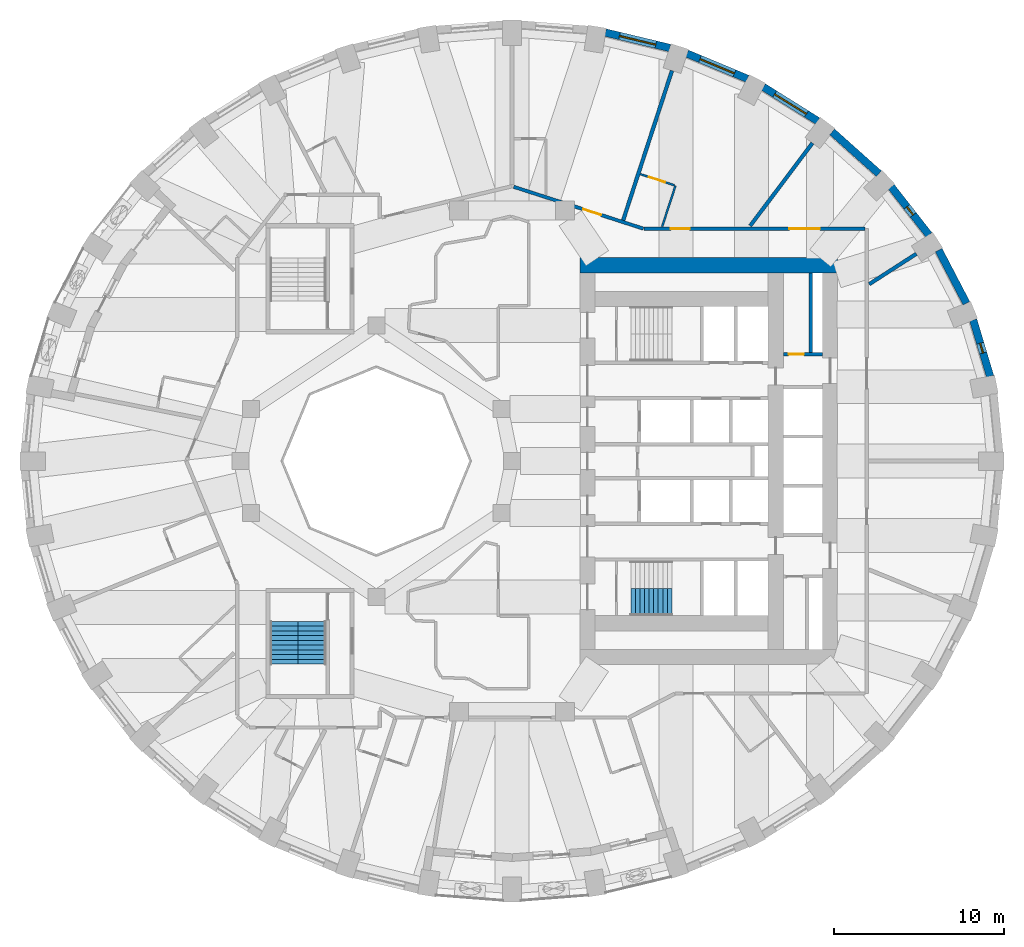
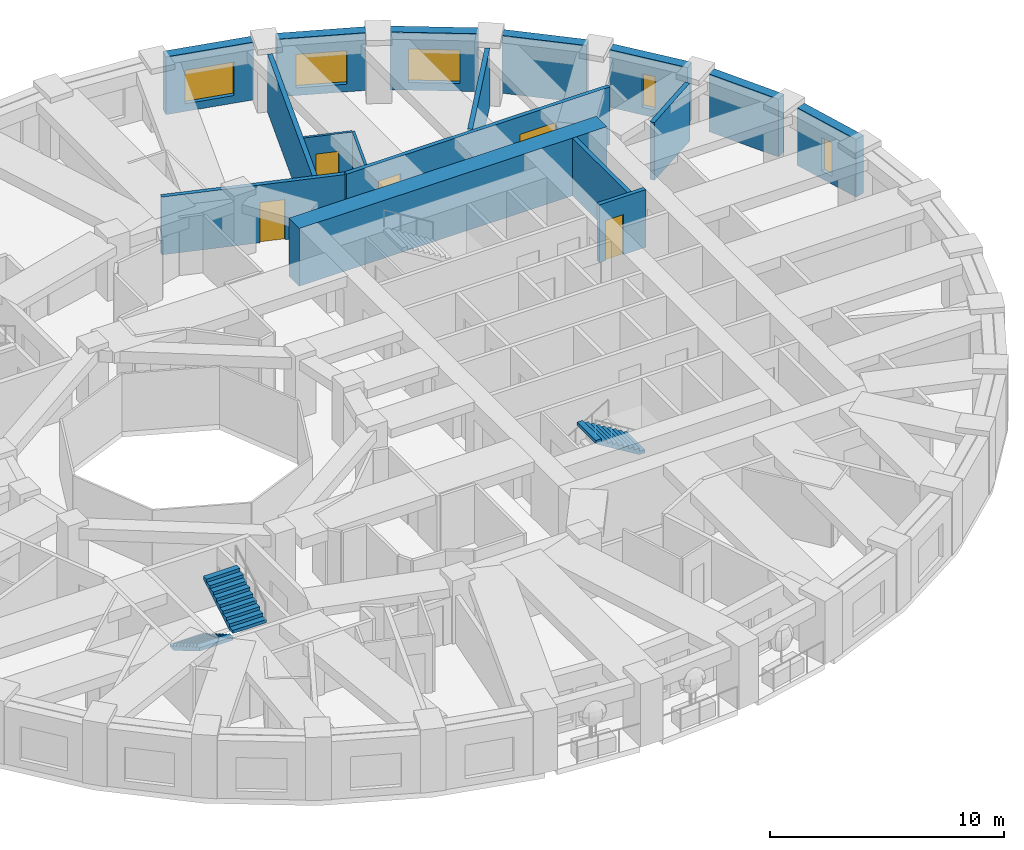
# One storey, part 9 of 13: 17 walls, 5 doors, 5 windows, 3 stair flights, 10 openings, 2 elements without a shape of their own.
"""IFC4 building model written with IfcOpenShell, lengths in metres."""

from ifc_helpers import new_model, si_unit, direction, frame, frame_2d, origin, place, context, subcontext, project, spatial, polyline, rectangle, outline, extrude, material, layer, layer_set, type_object, element, fill, aggregate, save


model = new_model("IFC4")

# Units and contexts
model_context = context("Model", 3, precision=1e-05, world=origin(), true_north=direction((0.0, 1.0)))
body_context = subcontext(model_context, "Body", "Model", "MODEL_VIEW")
ifc_project = project(units=[si_unit("LENGTHUNIT", "METRE"), si_unit("AREAUNIT", "SQUARE_METRE"), si_unit("VOLUMEUNIT", "CUBIC_METRE"), si_unit("PLANEANGLEUNIT", "RADIAN"), si_unit("MASSUNIT", "GRAM", prefix="KILO")], contexts=[model_context])

# Site, building, storey
site_placement = place(None, origin())
site = spatial("IfcSite", under=ifc_project, at=site_placement, CompositionType="ELEMENT")
building_placement = place(site_placement, origin())
building = spatial("IfcBuilding", under=site, at=building_placement, Name="Taillehof Tower", CompositionType="ELEMENT")
storey_placement = place(building_placement, frame((0.0, 0.0, 71.199951171875)))
storey = spatial("IfcBuildingStorey", under=building, at=storey_placement, Name="L19", CompositionType="ELEMENT", Elevation=71.199951171875)

# Wall, opening, window
ifc_material_1 = material(Name="Brick masonry", Category="masonry")
ifc_layer_1 = layer(ifc_material_1, 0.449951171875)
ifc_layer_set_1 = layer_set([ifc_layer_1], Name="Brick infill wall 450")
wall_type_1 = type_object("IfcWallType", Name="Brick infill wall 450", PredefinedType="SOLIDWALL", material=ifc_layer_set_1)
wall_1_placement = place(storey_placement, frame((28.181884765625, 4.995849609375, 0.0), z_axis=(0.0, 0.0, 1.0), x_axis=(-0.287064133733, 0.957911364963, 0.0)))
wall_1 = element("IfcWall", 1, at=wall_1_placement, inside=storey, type_object=wall_type_1, Name="Brick wall L19 bay 2", PredefinedType="SOLIDWALL", context=body_context, shape_type="SweptSolid", body=[
    extrude(rectangle(XDim=3.473388671875, YDim=0.449951171875, at=frame_2d((1.73681640625, 0.0))), origin(), (0.0, 0.0, 1.0), 3.02001953125),
])
opening_1_placement = place(wall_1_placement, frame((1.436767578125, 0.0, 0.39990234375)))
opening_1 = element("IfcOpeningElement", 2, at=opening_1_placement, cuts=wall_1, Name="Opening W6", PredefinedType="OPENING", context=body_context, shape_type="SweptSolid", body=[
    extrude(rectangle(XDim=0.60009765625, YDim=1.75, at=frame_2d((0.300048828125, 0.875))), frame((0.0, 0.23486328125, 0.0), z_axis=(0.0, -1.0, 0.0), x_axis=(1.0, 0.0, 0.0)), (0.0, 0.0, 1.0), 0.469970703125),
])
ifc_material_2 = material(Name="Aluminium window frame with clear double glazing", Category="aluminium")
window_type_1 = type_object("IfcWindowType", Name="Slot window 600x1750", PartitioningType="SINGLE_PANEL", PredefinedType="WINDOW", material=ifc_material_2)
window_1_placement = place(opening_1_placement, origin())
window_1 = element("IfcWindow", 3, at=window_1_placement, inside=storey, type_object=window_type_1, Name="W6", OverallHeight=1.75, OverallWidth=0.60009765625, PartitioningType="SINGLE_PANEL", PredefinedType="WINDOW", context=body_context, shape_type="SweptSolid", body=[
    extrude(rectangle(XDim=0.60009765625, YDim=1.75, at=frame_2d((0.300048828125, 0.875))), frame((0.0, 0.034912109375, 0.0), z_axis=(0.0, -1.0, 0.0), x_axis=(1.0, 0.0, 0.0)), (0.0, 0.0, 1.0), 0.06005859375),
])
fill(opening_1, window_1)

# Wall
wall_2_placement = place(storey_placement, frame((26.78564453125, 9.30517578125, 0.0), z_axis=(0.0, 0.0, 1.0), x_axis=(-0.462492775226, 0.886623050041, 0.0)))
element("IfcWall", 4, at=wall_2_placement, inside=storey, type_object=wall_type_1, Name="Brick wall L19 bay 3", PredefinedType="SOLIDWALL", context=body_context, shape_type="SweptSolid", body=[
    extrude(rectangle(XDim=3.531982421875, YDim=0.449951171875, at=frame_2d((1.76611328125, 0.0))), origin(), (0.0, 0.0, 1.0), 3.02001953125),
])

# Wall, opening, window
wall_3_placement = place(storey_placement, frame((24.57763671875, 13.327880859375, 0.0), z_axis=(0.0, 0.0, 1.0), x_axis=(-0.616661975264, 0.787228053529, 0.0)))
wall_3 = element("IfcWall", 5, at=wall_3_placement, inside=storey, type_object=wall_type_1, Name="Brick wall L19 bay 4", PredefinedType="SOLIDWALL", context=body_context, shape_type="SweptSolid", body=[
    extrude(rectangle(XDim=3.60986328125, YDim=0.449951171875, at=frame_2d((1.804931640625, 0.0))), origin(), (0.0, 0.0, 1.0), 3.02001953125),
])
opening_2_placement = place(wall_3_placement, frame((1.5048828125, 0.0, 0.39990234375)))
opening_2 = element("IfcOpeningElement", 6, at=opening_2_placement, cuts=wall_3, Name="Opening W6", PredefinedType="OPENING", context=body_context, shape_type="SweptSolid", body=[
    extrude(rectangle(XDim=0.60009765625, YDim=1.75, at=frame_2d((0.300048828125, 0.875))), frame((0.0, 0.23486328125, 0.0), z_axis=(0.0, -1.0, 0.0), x_axis=(1.0, 0.0, 0.0)), (0.0, 0.0, 1.0), 0.469970703125),
])
window_2_placement = place(opening_2_placement, origin())
window_2 = element("IfcWindow", 7, at=window_2_placement, inside=storey, type_object=window_type_1, Name="W6", OverallHeight=1.75, OverallWidth=0.60009765625, PartitioningType="SINGLE_PANEL", PredefinedType="WINDOW", context=body_context, shape_type="SweptSolid", body=[
    extrude(rectangle(XDim=0.60009765625, YDim=1.75, at=frame_2d((0.300048828125, 0.875))), frame((0.0, 0.034912109375, 0.0), z_axis=(0.0, -1.0, 0.0), x_axis=(1.0, 0.0, 0.0)), (0.0, 0.0, 1.0), 0.06005859375),
])
fill(opening_2, window_2)

# Wall
wall_4_placement = place(storey_placement, frame((21.626708984375, 16.943115234375, 0.0), z_axis=(0.0, 0.0, 1.0), x_axis=(-0.745526233716, 0.66647628228, 0.0)))
element("IfcWall", 8, at=wall_4_placement, inside=storey, type_object=wall_type_1, Name="Brick wall L19 bay 5", PredefinedType="SOLIDWALL", context=body_context, shape_type="SweptSolid", body=[
    extrude(rectangle(XDim=3.69677734375, YDim=0.449951171875, at=frame_2d((1.848388671875, 0.0))), origin(), (0.0, 0.0, 1.0), 3.02001953125),
])

# Wall, opening, window
wall_5_placement = place(storey_placement, frame((18.02294921875, 20.043701171875, 0.0), z_axis=(0.0, 0.0, 1.0), x_axis=(-0.847635480093, 0.530579016629, 0.0)))
wall_5 = element("IfcWall", 9, at=wall_5_placement, inside=storey, type_object=wall_type_1, Name="Brick wall L19 bay 6", PredefinedType="SOLIDWALL", context=body_context, shape_type="SweptSolid", body=[
    extrude(rectangle(XDim=3.782470703125, YDim=0.449951171875, at=frame_2d((1.89111328125, 0.0))), origin(), (0.0, 0.0, 1.0), 3.02001953125),
])
opening_3_placement = place(wall_5_placement, frame((0.791259765625, 0.0, 0.39990234375)))
opening_3 = element("IfcOpeningElement", 10, at=opening_3_placement, cuts=wall_5, Name="Opening W1", PredefinedType="OPENING", context=body_context, shape_type="SweptSolid", body=[
    extrude(rectangle(XDim=2.199951171875, YDim=1.75, at=frame_2d((1.10009765625, 0.875))), frame((0.0, 0.23486328125, 0.0), z_axis=(0.0, -1.0, 0.0), x_axis=(1.0, 0.0, 0.0)), (0.0, 0.0, 1.0), 0.469970703125),
])
ifc_material_3 = material(Name="Aluminium window frame with clear double glazing", Category="aluminium")
window_type_2 = type_object("IfcWindowType", Name="Deep-set window 2200x1750", PartitioningType="SINGLE_PANEL", PredefinedType="WINDOW", material=ifc_material_3)
window_3_placement = place(opening_3_placement, origin())
window_3 = element("IfcWindow", 11, at=window_3_placement, inside=storey, type_object=window_type_2, Name="W1", OverallHeight=1.75, OverallWidth=2.199951171875, PartitioningType="SINGLE_PANEL", PredefinedType="WINDOW", context=body_context, shape_type="SweptSolid", body=[
    extrude(rectangle(XDim=2.199951171875, YDim=1.75, at=frame_2d((1.10009765625, 0.875))), frame((0.0, 0.034912109375, 0.0), z_axis=(0.0, -1.0, 0.0), x_axis=(1.0, 0.0, 0.0)), (0.0, 0.0, 1.0), 0.06005859375),
])
fill(opening_3, window_3)

wall_6_placement = place(storey_placement, frame((13.875, 22.537353515625, 0.0), z_axis=(0.0, 0.0, 1.0), x_axis=(-0.923031964282, 0.384723267966, 0.0)))
wall_6 = element("IfcWall", 12, at=wall_6_placement, inside=storey, type_object=wall_type_1, Name="Brick wall L19 bay 7", PredefinedType="SOLIDWALL", context=body_context, shape_type="SweptSolid", body=[
    extrude(rectangle(XDim=3.8564453125, YDim=0.449951171875, at=frame_2d((1.92822265625, 0.0))), origin(), (0.0, 0.0, 1.0), 3.02001953125),
])
opening_4_placement = place(wall_6_placement, frame((0.828125, 0.0, 0.39990234375)))
opening_4 = element("IfcOpeningElement", 13, at=opening_4_placement, cuts=wall_6, Name="Opening W1", PredefinedType="OPENING", context=body_context, shape_type="SweptSolid", body=[
    extrude(rectangle(XDim=2.199951171875, YDim=1.75, at=frame_2d((1.10009765625, 0.875))), frame((0.0, 0.23486328125, 0.0), z_axis=(0.0, -1.0, 0.0), x_axis=(1.0, 0.0, 0.0)), (0.0, 0.0, 1.0), 0.469970703125),
])
window_4_placement = place(opening_4_placement, origin())
window_4 = element("IfcWindow", 14, at=window_4_placement, inside=storey, type_object=window_type_2, Name="W1", OverallHeight=1.75, OverallWidth=2.199951171875, PartitioningType="SINGLE_PANEL", PredefinedType="WINDOW", context=body_context, shape_type="SweptSolid", body=[
    extrude(rectangle(XDim=2.199951171875, YDim=1.75, at=frame_2d((1.10009765625, 0.875))), frame((0.0, 0.034912109375, 0.0), z_axis=(0.0, -1.0, 0.0), x_axis=(1.0, 0.0, 0.0)), (0.0, 0.0, 1.0), 0.06005859375),
])
fill(opening_4, window_4)

wall_7_placement = place(storey_placement, frame((9.3076171875, 24.349609375, 0.0), z_axis=(0.0, 0.0, 1.0), x_axis=(-0.972496561493, 0.232917233979, 0.0)))
wall_7 = element("IfcWall", 15, at=wall_7_placement, inside=storey, type_object=wall_type_1, Name="Brick wall L19 bay 8", PredefinedType="SOLIDWALL", context=body_context, shape_type="SweptSolid", body=[
    extrude(rectangle(XDim=3.910888671875, YDim=0.449951171875, at=frame_2d((1.95556640625, 0.0))), origin(), (0.0, 0.0, 1.0), 3.02001953125),
])
opening_5_placement = place(wall_7_placement, frame((0.855224609375, 0.0, 0.39990234375)))
opening_5 = element("IfcOpeningElement", 16, at=opening_5_placement, cuts=wall_7, Name="Opening W1", PredefinedType="OPENING", context=body_context, shape_type="SweptSolid", body=[
    extrude(rectangle(XDim=2.199951171875, YDim=1.75, at=frame_2d((1.10009765625, 0.875))), frame((0.0, 0.23486328125, 0.0), z_axis=(0.0, -1.0, 0.0), x_axis=(1.0, 0.0, 0.0)), (0.0, 0.0, 1.0), 0.469970703125),
])
window_5_placement = place(opening_5_placement, origin())
window_5 = element("IfcWindow", 17, at=window_5_placement, inside=storey, type_object=window_type_2, Name="W1", OverallHeight=1.75, OverallWidth=2.199951171875, PartitioningType="SINGLE_PANEL", PredefinedType="WINDOW", context=body_context, shape_type="SweptSolid", body=[
    extrude(rectangle(XDim=2.199951171875, YDim=1.75, at=frame_2d((1.10009765625, 0.875))), frame((0.0, 0.034912109375, 0.0), z_axis=(0.0, -1.0, 0.0), x_axis=(1.0, 0.0, 0.0)), (0.0, 0.0, 1.0), 0.06005859375),
])
fill(opening_5, window_5)

# Wall, opening, door
ifc_material_4 = material(Name="Calcium silicate masonry", Category="masonry")
ifc_layer_2 = layer(ifc_material_4, 0.199951171875)
ifc_layer_set_2 = layer_set([ifc_layer_2], Name="Compartment wall calcium silicate 200")
wall_type_2 = type_object("IfcWallType", Name="Compartment wall calcium silicate 200", PredefinedType="PARTITIONING", material=ifc_layer_set_2)
wall_8_placement = place(storey_placement, frame((16.0, 6.300048828125, 0.0), z_axis=(0.0, 0.0, 1.0), x_axis=(1.0, 0.0, 0.0)))
wall_8 = element("IfcWall", 18, at=wall_8_placement, inside=storey, type_object=wall_type_2, Name="Compartment wall FW", PredefinedType="PARTITIONING", context=body_context, shape_type="SweptSolid", body=[
    extrude(rectangle(XDim=2.300048828125, YDim=0.199951171875, at=frame_2d((1.14990234375, 0.0))), origin(), (0.0, 0.0, 1.0), 3.02001953125),
])
opening_6_placement = place(wall_8_placement, frame((0.300048828125, 0.0, 0.0)))
opening_6 = element("IfcOpeningElement", 19, at=opening_6_placement, cuts=wall_8, Name="Opening D1916", PredefinedType="OPENING", context=body_context, shape_type="SweptSolid", body=[
    extrude(rectangle(XDim=0.89990234375, YDim=2.10009765625, at=frame_2d((0.449951171875, 1.050048828125))), frame((0.0, 0.10986328125, 0.0), z_axis=(0.0, -1.0, 0.0), x_axis=(1.0, 0.0, 0.0)), (0.0, 0.0, 1.0), 0.219970703125),
])
ifc_material_5 = material(Name="Steel-faced fire door", Category="steel")
door_type_1 = type_object("IfcDoorType", Name="Riser and service room door 900x2100", OperationType="SINGLE_SWING_LEFT", PredefinedType="DOOR", material=ifc_material_5)
door_1_placement = place(opening_6_placement, origin())
door_1 = element("IfcDoor", 20, at=door_1_placement, inside=storey, type_object=door_type_1, Name="Door Store", OperationType="SINGLE_SWING_RIGHT", OverallHeight=2.10009765625, OverallWidth=0.89990234375, PredefinedType="DOOR", context=body_context, shape_type="SweptSolid", body=[
    extrude(rectangle(XDim=0.89990234375, YDim=2.10009765625, at=frame_2d((0.449951171875, 1.050048828125))), frame((0.0, 0.02490234375, 0.0), z_axis=(0.0, -1.0, 0.0), x_axis=(1.0, 0.0, 0.0)), (0.0, 0.0, 1.0), 0.050048828125),
])
fill(opening_6, door_1)

# Wall
wall_9_placement = place(storey_placement, frame((17.60009765625, 6.39990234375, 0.0), z_axis=(0.0, 0.0, 1.0), x_axis=(0.0, 1.0, 0.0)))
element("IfcWall", 21, at=wall_9_placement, inside=storey, type_object=wall_type_2, Name="Compartment wall FW", PredefinedType="PARTITIONING", context=body_context, shape_type="SweptSolid", body=[
    extrude(rectangle(XDim=4.7001953125, YDim=0.199951171875, at=frame_2d((2.35009765625, 0.0))), origin(), (0.0, 0.0, 1.0), 3.02001953125),
])

# Wall, opening, door
ifc_material_6 = material(Name="Gypsum board on steel studs, two layers each side", Category="steel")
ifc_layer_3 = layer(ifc_material_6, 0.199951171875)
ifc_layer_set_3 = layer_set([ifc_layer_3], Name="Compartment wall corridor 200")
wall_type_3 = type_object("IfcWallType", Name="Compartment wall corridor 200", PredefinedType="PARTITIONING", material=ifc_layer_set_3)
wall_10_placement = place(storey_placement, frame((0.09521484375, 16.16943359375, 0.0), z_axis=(0.0, 0.0, 1.0), x_axis=(0.951667112614, -0.307131416122, 0.0)))
wall_10 = element("IfcWall", 22, at=wall_10_placement, inside=storey, type_object=wall_type_3, Name="Compartment wall", PredefinedType="PARTITIONING", context=body_context, shape_type="SweptSolid", body=[
    extrude(rectangle(XDim=8.04052734375, YDim=0.199951171875, at=frame_2d((4.020263671875, 0.0))), origin(), (0.0, 0.0, 1.0), 3.02001953125),
])
opening_7_placement = place(wall_10_placement, frame((4.308837890625, 0.0, 0.0)))
opening_7 = element("IfcOpeningElement", 23, at=opening_7_placement, cuts=wall_10, Name="Opening D1942", PredefinedType="OPENING", context=body_context, shape_type="SweptSolid", body=[
    extrude(rectangle(XDim=1.10009765625, YDim=2.10009765625, at=frame_2d((0.550048828125, 1.050048828125))), frame((0.0, 0.10986328125, 0.0), z_axis=(0.0, -1.0, 0.0), x_axis=(1.0, 0.0, 0.0)), (0.0, 0.0, 1.0), 0.219970703125),
])
ifc_material_7 = material(Name="Timber door leaf in steel frame", Category="steel")
door_type_2 = type_object("IfcDoorType", Name="Suite entrance door EI 30 1100 x 2100", OperationType="SINGLE_SWING_LEFT", PredefinedType="DOOR", material=ifc_material_7)
door_2_placement = place(opening_7_placement, origin())
door_2 = element("IfcDoor", 24, at=door_2_placement, inside=storey, type_object=door_type_2, Name="D1942", OperationType="SINGLE_SWING_RIGHT", OverallHeight=2.10009765625, OverallWidth=1.10009765625, PredefinedType="DOOR", context=body_context, shape_type="SweptSolid", body=[
    extrude(rectangle(XDim=1.10009765625, YDim=2.10009765625, at=frame_2d((0.550048828125, 1.050048828125))), frame((0.0, 0.02490234375, 0.0), z_axis=(0.0, -1.0, 0.0), x_axis=(1.0, 0.0, 0.0)), (0.0, 0.0, 1.0), 0.050048828125),
])
fill(opening_7, door_2)

# Wall, openings, doors
wall_11_placement = place(storey_placement, frame((7.787109375, 13.699951171875, 0.0), z_axis=(0.0, 0.0, 1.0), x_axis=(1.0, 0.0, 0.0)))
wall_11 = element("IfcWall", 25, at=wall_11_placement, inside=storey, type_object=wall_type_3, Name="Compartment wall", PredefinedType="PARTITIONING", context=body_context, shape_type="SweptSolid", body=[
    extrude(rectangle(XDim=13.0126953125, YDim=0.199951171875, at=frame_2d((6.50634765625, 0.0))), origin(), (0.0, 0.0, 1.0), 3.02001953125),
])
opening_8_placement = place(wall_11_placement, frame((1.58349609375, 0.0, 0.0)))
opening_8 = element("IfcOpeningElement", 26, at=opening_8_placement, cuts=wall_11, Name="Opening D1940", PredefinedType="OPENING", context=body_context, shape_type="SweptSolid", body=[
    extrude(rectangle(XDim=1.10009765625, YDim=2.10009765625, at=frame_2d((0.550048828125, 1.050048828125))), frame((0.0, 0.10986328125, 0.0), z_axis=(0.0, -1.0, 0.0), x_axis=(1.0, 0.0, 0.0)), (0.0, 0.0, 1.0), 0.219970703125),
])
opening_9_placement = place(wall_11_placement, frame((8.562255859375, 0.0, 0.0)))
opening_9 = element("IfcOpeningElement", 27, at=opening_9_placement, cuts=wall_11, Name="Opening D1967", PredefinedType="OPENING", context=body_context, shape_type="SweptSolid", body=[
    extrude(rectangle(XDim=1.800048828125, YDim=2.10009765625, at=frame_2d((0.89990234375, 1.050048828125))), frame((0.0, 0.10986328125, 0.0), z_axis=(0.0, -1.0, 0.0), x_axis=(1.0, 0.0, 0.0)), (0.0, 0.0, 1.0), 0.219970703125),
])
ifc_material_8 = material(Name="Timber door leaf in steel frame", Category="steel")
door_type_3 = type_object("IfcDoorType", Name="Accessible guest room door EI 30 1100 x 2100", OperationType="SINGLE_SWING_LEFT", PredefinedType="DOOR", material=ifc_material_8)
door_3_placement = place(opening_8_placement, origin())
door_3 = element("IfcDoor", 28, at=door_3_placement, inside=storey, type_object=door_type_3, Name="D1940", OperationType="SINGLE_SWING_LEFT", OverallHeight=2.10009765625, OverallWidth=1.10009765625, PredefinedType="DOOR", context=body_context, shape_type="SweptSolid", body=[
    extrude(rectangle(XDim=1.10009765625, YDim=2.10009765625, at=frame_2d((0.550048828125, 1.050048828125))), frame((0.0, 0.02490234375, 0.0), z_axis=(0.0, -1.0, 0.0), x_axis=(1.0, 0.0, 0.0)), (0.0, 0.0, 1.0), 0.050048828125),
])
fill(opening_8, door_3)
ifc_material_9 = material(Name="Timber door leaf in steel frame", Category="steel")
door_type_4 = type_object("IfcDoorType", Name="Lounge and meeting room double door EI 30 1800 x 2100", OperationType="SINGLE_SWING_LEFT", PredefinedType="DOOR", material=ifc_material_9)
door_4_placement = place(opening_9_placement, origin())
door_4 = element("IfcDoor", 29, at=door_4_placement, inside=storey, type_object=door_type_4, Name="D1967", OperationType="DOUBLE_DOOR_SINGLE_SWING", OverallHeight=2.10009765625, OverallWidth=1.800048828125, PredefinedType="DOOR", context=body_context, shape_type="SweptSolid", body=[
    extrude(rectangle(XDim=1.800048828125, YDim=2.10009765625, at=frame_2d((0.89990234375, 1.050048828125))), frame((0.0, 0.02490234375, 0.0), z_axis=(0.0, -1.0, 0.0), x_axis=(1.0, 0.0, 0.0)), (0.0, 0.0, 1.0), 0.050048828125),
])
fill(opening_9, door_4)

# Walls
ifc_material_10 = material(Name="Gypsum board on double steel studs with mineral wool", Category="steel")
ifc_layer_4 = layer(ifc_material_10, 0.219970703125)
ifc_layer_set_4 = layer_set([ifc_layer_4], Name="Compartment wall guest room 220")
wall_type_4 = type_object("IfcWallType", Name="Compartment wall guest room 220", PredefinedType="PARTITIONING", material=ifc_layer_set_4)
wall_12_placement = place(storey_placement, frame((23.834716796875, 12.218994140625, 0.0), z_axis=(0.0, 0.0, 1.0), x_axis=(-0.840713483419, -0.541480229368, 0.0)))
element("IfcWall", 30, at=wall_12_placement, inside=storey, type_object=wall_type_4, Name="Compartment wall", PredefinedType="PARTITIONING", context=body_context, shape_type="SweptSolid", body=[
    extrude(rectangle(XDim=3.311767578125, YDim=0.219970703125, at=frame_2d((1.65576171875, 0.0))), origin(), (0.0, 0.0, 1.0), 3.02001953125),
])
wall_13_placement = place(storey_placement, frame((17.707763671875, 18.7431640625, 0.0), z_axis=(0.0, 0.0, 1.0), x_axis=(-0.601170031872, -0.799121137738, 0.0)))
element("IfcWall", 31, at=wall_13_placement, inside=storey, type_object=wall_type_4, Name="Compartment wall", PredefinedType="PARTITIONING", context=body_context, shape_type="SweptSolid", body=[
    extrude(rectangle(XDim=6.106201171875, YDim=0.219970703125, at=frame_2d((3.05322265625, 0.0))), origin(), (0.0, 0.0, 1.0), 3.02001953125),
])
wall_14_placement = place(storey_placement, frame((9.429443359375, 23.01416015625, 0.0), z_axis=(0.0, 0.0, 1.0), x_axis=(-0.310223734739, -0.950663575827, 0.0)))
element("IfcWall", 32, at=wall_14_placement, inside=storey, type_object=wall_type_4, Name="Compartment wall", PredefinedType="PARTITIONING", context=body_context, shape_type="SweptSolid", body=[
    extrude(rectangle(XDim=9.28076171875, YDim=0.219970703125, at=frame_2d((4.640380859375, 0.0))), origin(), (0.0, 0.0, 1.0), 3.02001953125),
])
ifc_material_11 = material(Name="Concrete C80/95", Category="concrete")
ifc_layer_5 = layer(ifc_material_11, 0.89990234375)
ifc_layer_set_5 = layer_set([ifc_layer_5], Name="Core wall C80/95 900")
wall_type_5 = type_object("IfcWallType", Name="Core wall C80/95 900", PredefinedType="SHEAR", material=ifc_layer_set_5)
wall_15_placement = place(storey_placement, frame((4.0, 11.550048828125, 0.0), z_axis=(0.0, 0.0, 1.0), x_axis=(1.0, 0.0, 0.0)))
element("IfcWall", 33, at=wall_15_placement, inside=storey, type_object=wall_type_5, Name="Core wall CW03", PredefinedType="SHEAR", context=body_context, shape_type="SweptSolid", body=[
    extrude(rectangle(XDim=15.199951171875, YDim=0.89990234375, at=frame_2d((7.60009765625, 0.0))), origin(), (0.0, 0.0, 1.0), 3.02001953125),
])
ifc_material_12 = material(Name="Gypsum board on steel studs, moisture resistant", Category="steel")
ifc_layer_6 = layer(ifc_material_12, 0.1201171875)
ifc_layer_set_6 = layer_set([ifc_layer_6], Name="En-suite wall 120")
wall_type_6 = type_object("IfcWallType", Name="En-suite wall 120", PredefinedType="PARTITIONING", material=ifc_layer_set_6)
wall_16_placement = place(storey_placement, frame((8.84814453125, 13.819091796875, 0.0), z_axis=(0.0, 0.0, 1.0), x_axis=(0.310254704997, 0.95065346895, 0.0)))
element("IfcWall", 34, at=wall_16_placement, inside=storey, type_object=wall_type_6, Name="En-suite wall", PredefinedType="PARTITIONING", context=body_context, shape_type="SweptSolid", body=[
    extrude(rectangle(XDim=2.541015625, YDim=0.1201171875, at=frame_2d((1.2705078125, 0.0))), origin(), (0.0, 0.0, 1.0), 3.02001953125),
])

# Wall, opening, door
wall_17_placement = place(storey_placement, frame((9.579345703125, 16.2529296875, 0.0), z_axis=(0.0, 0.0, 1.0), x_axis=(-0.950613738429, 0.310376417129, 0.0)))
wall_17 = element("IfcWall", 35, at=wall_17_placement, inside=storey, type_object=wall_type_6, Name="En-suite wall", PredefinedType="PARTITIONING", context=body_context, shape_type="SweptSolid", body=[
    extrude(rectangle(XDim=2.130126953125, YDim=0.1201171875, at=frame_2d((1.06494140625, 0.0))), origin(), (0.0, 0.0, 1.0), 3.02001953125),
])
opening_10_placement = place(wall_17_placement, frame((0.590087890625, 0.0, 0.0)))
opening_10 = element("IfcOpeningElement", 36, at=opening_10_placement, cuts=wall_17, Name="Opening D1941", PredefinedType="OPENING", context=body_context, shape_type="SweptSolid", body=[
    extrude(rectangle(XDim=1.0, YDim=2.10009765625, at=frame_2d((0.5, 1.050048828125))), frame((0.0, 0.070068359375, 0.0), z_axis=(0.0, -1.0, 0.0), x_axis=(1.0, 0.0, 0.0)), (0.0, 0.0, 1.0), 0.14013671875),
])
ifc_material_13 = material(Name="Timber door leaf in steel frame", Category="steel")
door_type_5 = type_object("IfcDoorType", Name="Accessible en-suite door 1000 x 2100", OperationType="SINGLE_SWING_LEFT", PredefinedType="DOOR", material=ifc_material_13)
door_5_placement = place(opening_10_placement, origin())
door_5 = element("IfcDoor", 37, at=door_5_placement, inside=storey, type_object=door_type_5, Name="D1941", OperationType="SINGLE_SWING_LEFT", OverallHeight=2.10009765625, OverallWidth=1.0, PredefinedType="DOOR", context=body_context, shape_type="SweptSolid", body=[
    extrude(rectangle(XDim=1.0, YDim=2.10009765625, at=frame_2d((0.5, 1.050048828125))), frame((0.0, 0.02490234375, 0.0), z_axis=(0.0, -1.0, 0.0), x_axis=(1.0, 0.0, 0.0)), (0.0, 0.0, 1.0), 0.050048828125),
])
fill(opening_10, door_5)

# Stair, stair flight
ifc_material_14 = material(Name="Concrete C40/50", Category="concrete")
stair_type = type_object("IfcStairType", Name="Exit stair half-turn", PredefinedType="HALF_TURN_STAIR", material=ifc_material_14)
stair_1_placement = place(storey_placement, origin())
stair_1 = element("IfcStair", 38, at=stair_1_placement, inside=storey, type_object=stair_type, Name="Exit stair S2", PredefinedType="HALF_TURN_STAIR")
ifc_material_15 = material(Name="Concrete C40/50", Category="concrete")
stair_flight_type_1 = type_object("IfcStairFlightType", Name="Stair flight 1600 riser 165.0 going 270", PredefinedType="STRAIGHT", material=ifc_material_15)
stair_flight_1_placement = place(storey_placement, frame((9.429931640625, -8.300048828125, 1.650146484375), z_axis=(0.0, 0.0, 1.0), x_axis=(-1.0, 0.0, 0.0)))
stair_flight_1 = element("IfcStairFlight", 39, at=stair_flight_1_placement, type_object=stair_flight_type_1, Name="S2 flight 2", NumberOfRisers=10, NumberOfTreads=9, PredefinedType="STRAIGHT", RiserHeight=0.165, TreadLength=0.27, context=body_context, shape_type="SweptSolid", body=[
    extrude(outline(polyline([(0.0, 0.0), (0.0, 0.00537109375), (0.0, 0.0107421875), (0.0, 0.015869140625), (0.0, 0.021240234375), (0.0, 0.026611328125), (0.0, 0.031982421875), (0.0, 0.037353515625), (0.0, 0.04248046875), (0.0, 0.0478515625), (0.0, 0.05322265625), (0.0, 0.05859375), (0.0, 0.06396484375), (0.0, 0.069091796875), (0.0, 0.074462890625), (0.0, 0.079833984375), (0.0, 0.085205078125), (0.0, 0.090576171875), (0.0, 0.095703125), (0.0, 0.10107421875), (0.0, 0.1064453125), (0.0, 0.11181640625), (0.0, 0.1171875), (0.0, 0.122314453125), (0.0, 0.127685546875), (0.0, 0.133056640625), (0.0, 0.138427734375), (0.0, 0.143798828125), (0.0, 0.14892578125), (0.0, 0.154296875), (0.0, 0.15966796875), (0.0, 0.1650390625), (0.27001953125, 0.1650390625), (0.27001953125, 0.330078125), (0.5400390625, 0.330078125), (0.5400390625, 0.4951171875), (0.81005859375, 0.4951171875), (0.81005859375, 0.659912109375), (1.080078125, 0.659912109375), (1.080078125, 0.824951171875), (1.35009765625, 0.824951171875), (1.35009765625, 0.989990234375), (1.6201171875, 0.989990234375), (1.6201171875, 1.155029296875), (1.889892578125, 1.155029296875), (1.889892578125, 1.320068359375), (2.159912109375, 1.320068359375), (2.159912109375, 1.485107421875), (2.429931640625, 1.485107421875), (2.429931640625, 1.479248046875), (2.429931640625, 1.4736328125), (2.429931640625, 1.468017578125), (2.429931640625, 1.46240234375), (2.429931640625, 1.45654296875), (2.429931640625, 1.450927734375), (2.429931640625, 1.4453125), (2.429931640625, 1.439697265625), (2.429931640625, 1.43408203125), (2.429931640625, 1.42822265625), (2.429931640625, 1.422607421875), (2.429931640625, 1.4169921875), (2.429931640625, 1.411376953125), (2.429931640625, 1.40576171875), (2.429931640625, 1.39990234375), (2.429931640625, 1.394287109375), (2.429931640625, 1.388671875), (2.429931640625, 1.383056640625), (2.429931640625, 1.37744140625), (2.429931640625, 1.37158203125), (2.429931640625, 1.365966796875), (2.429931640625, 1.3603515625), (2.429931640625, 1.354736328125), (2.429931640625, 1.348876953125), (2.429931640625, 1.34326171875), (2.429931640625, 1.337646484375), (2.429931640625, 1.33203125), (2.429931640625, 1.326416015625), (2.429931640625, 1.320556640625), (2.429931640625, 1.31494140625), (2.429931640625, 1.309326171875), (0.287353515625, 0.0), (0.0, 0.0)])), frame((0.0, 0.800048828125, 0.0), z_axis=(0.0, -1.0, 0.0), x_axis=(1.0, 0.0, 0.0)), (0.0, 0.0, 1.0), 1.6),
])
aggregate(stair_1, [stair_flight_1])

# Stair, stair flights
stair_2_placement = place(storey_placement, origin())
stair_2 = element("IfcStair", 40, at=stair_2_placement, inside=storey, type_object=stair_type, Name="Exit stair S4", PredefinedType="HALF_TURN_STAIR")
ifc_material_16 = material(Name="Concrete C40/50", Category="concrete")
stair_flight_type_2 = type_object("IfcStairFlightType", Name="Stair flight 1650 riser 165.0 going 280", PredefinedType="STRAIGHT", material=ifc_material_16)
stair_flight_2_placement = place(storey_placement, frame((-13.425048828125, -9.449951171875, 0.0), z_axis=(0.0, 0.0, 1.0), x_axis=(0.0, -1.0, 0.0)))
stair_flight_2 = element("IfcStairFlight", 41, at=stair_flight_2_placement, type_object=stair_flight_type_2, Name="S4 flight 1", NumberOfRisers=10, NumberOfTreads=9, PredefinedType="STRAIGHT", RiserHeight=0.165, TreadLength=0.28, context=body_context, shape_type="SweptSolid", body=[
    extrude(outline(polyline([(0.0, 0.0), (0.0, 0.00537109375), (0.0, 0.0107421875), (0.0, 0.015869140625), (0.0, 0.021240234375), (0.0, 0.026611328125), (0.0, 0.031982421875), (0.0, 0.037353515625), (0.0, 0.04248046875), (0.0, 0.0478515625), (0.0, 0.05322265625), (0.0, 0.05859375), (0.0, 0.06396484375), (0.0, 0.069091796875), (0.0, 0.074462890625), (0.0, 0.079833984375), (0.0, 0.085205078125), (0.0, 0.090576171875), (0.0, 0.095703125), (0.0, 0.10107421875), (0.0, 0.1064453125), (0.0, 0.11181640625), (0.0, 0.1171875), (0.0, 0.122314453125), (0.0, 0.127685546875), (0.0, 0.133056640625), (0.0, 0.138427734375), (0.0, 0.143798828125), (0.0, 0.14892578125), (0.0, 0.154296875), (0.0, 0.15966796875), (0.0, 0.1650390625), (0.280029296875, 0.1650390625), (0.280029296875, 0.330078125), (0.56005859375, 0.330078125), (0.56005859375, 0.4951171875), (0.840087890625, 0.4951171875), (0.840087890625, 0.659912109375), (1.1201171875, 0.659912109375), (1.1201171875, 0.824951171875), (1.39990234375, 0.824951171875), (1.39990234375, 0.989990234375), (1.679931640625, 0.989990234375), (1.679931640625, 1.155029296875), (1.9599609375, 1.155029296875), (1.9599609375, 1.320068359375), (2.239990234375, 1.320068359375), (2.239990234375, 1.485107421875), (2.52001953125, 1.485107421875), (2.52001953125, 1.4794921875), (2.52001953125, 1.473876953125), (2.52001953125, 1.46826171875), (2.52001953125, 1.462646484375), (2.52001953125, 1.45703125), (2.52001953125, 1.451416015625), (2.52001953125, 1.44580078125), (2.52001953125, 1.440185546875), (2.52001953125, 1.4345703125), (2.52001953125, 1.428955078125), (2.52001953125, 1.42333984375), (2.52001953125, 1.417724609375), (2.52001953125, 1.412109375), (2.52001953125, 1.406494140625), (2.52001953125, 1.40087890625), (2.52001953125, 1.395263671875), (2.52001953125, 1.3896484375), (2.52001953125, 1.384033203125), (2.52001953125, 1.37841796875), (2.52001953125, 1.372802734375), (2.52001953125, 1.3671875), (2.52001953125, 1.361572265625), (2.52001953125, 1.35595703125), (2.52001953125, 1.350341796875), (2.52001953125, 1.3447265625), (2.52001953125, 1.339111328125), (2.52001953125, 1.33349609375), (2.52001953125, 1.327880859375), (2.52001953125, 1.322265625), (2.52001953125, 1.316650390625), (2.52001953125, 1.31103515625), (0.295166015625, 0.0), (0.0, 0.0)])), frame((0.0, 0.824951171875, 0.0), z_axis=(0.0, -1.0, 0.0), x_axis=(1.0, 0.0, 0.0)), (0.0, 0.0, 1.0), 1.65),
])
stair_flight_3_placement = place(storey_placement, frame((-11.77490234375, -11.969970703125, 1.650146484375), z_axis=(0.0, 0.0, 1.0), x_axis=(0.0, 1.0, 0.0)))
stair_flight_3 = element("IfcStairFlight", 42, at=stair_flight_3_placement, type_object=stair_flight_type_2, Name="S4 flight 2", NumberOfRisers=10, NumberOfTreads=9, PredefinedType="STRAIGHT", RiserHeight=0.165, TreadLength=0.28, context=body_context, shape_type="SweptSolid", body=[
    extrude(outline(polyline([(0.0, 0.0), (0.0, 0.00537109375), (0.0, 0.0107421875), (0.0, 0.015869140625), (0.0, 0.021240234375), (0.0, 0.026611328125), (0.0, 0.031982421875), (0.0, 0.037353515625), (0.0, 0.04248046875), (0.0, 0.0478515625), (0.0, 0.05322265625), (0.0, 0.05859375), (0.0, 0.06396484375), (0.0, 0.069091796875), (0.0, 0.074462890625), (0.0, 0.079833984375), (0.0, 0.085205078125), (0.0, 0.090576171875), (0.0, 0.095703125), (0.0, 0.10107421875), (0.0, 0.1064453125), (0.0, 0.11181640625), (0.0, 0.1171875), (0.0, 0.122314453125), (0.0, 0.127685546875), (0.0, 0.133056640625), (0.0, 0.138427734375), (0.0, 0.143798828125), (0.0, 0.14892578125), (0.0, 0.154296875), (0.0, 0.15966796875), (0.0, 0.1650390625), (0.280029296875, 0.1650390625), (0.280029296875, 0.330078125), (0.56005859375, 0.330078125), (0.56005859375, 0.4951171875), (0.840087890625, 0.4951171875), (0.840087890625, 0.659912109375), (1.1201171875, 0.659912109375), (1.1201171875, 0.824951171875), (1.39990234375, 0.824951171875), (1.39990234375, 0.989990234375), (1.679931640625, 0.989990234375), (1.679931640625, 1.155029296875), (1.9599609375, 1.155029296875), (1.9599609375, 1.320068359375), (2.239990234375, 1.320068359375), (2.239990234375, 1.485107421875), (2.52001953125, 1.485107421875), (2.52001953125, 1.4794921875), (2.52001953125, 1.473876953125), (2.52001953125, 1.46826171875), (2.52001953125, 1.462646484375), (2.52001953125, 1.45703125), (2.52001953125, 1.451416015625), (2.52001953125, 1.44580078125), (2.52001953125, 1.440185546875), (2.52001953125, 1.4345703125), (2.52001953125, 1.428955078125), (2.52001953125, 1.42333984375), (2.52001953125, 1.417724609375), (2.52001953125, 1.412109375), (2.52001953125, 1.406494140625), (2.52001953125, 1.40087890625), (2.52001953125, 1.395263671875), (2.52001953125, 1.3896484375), (2.52001953125, 1.384033203125), (2.52001953125, 1.37841796875), (2.52001953125, 1.372802734375), (2.52001953125, 1.3671875), (2.52001953125, 1.361572265625), (2.52001953125, 1.35595703125), (2.52001953125, 1.350341796875), (2.52001953125, 1.3447265625), (2.52001953125, 1.339111328125), (2.52001953125, 1.33349609375), (2.52001953125, 1.327880859375), (2.52001953125, 1.322265625), (2.52001953125, 1.316650390625), (2.52001953125, 1.31103515625), (0.295166015625, 0.0), (0.0, 0.0)])), frame((0.0, 0.824951171875, 0.0), z_axis=(0.0, -1.0, 0.0), x_axis=(1.0, 0.0, 0.0)), (0.0, 0.0, 1.0), 1.65),
])
aggregate(stair_2, [stair_flight_2, stair_flight_3])

save(model, "model.ifc")
